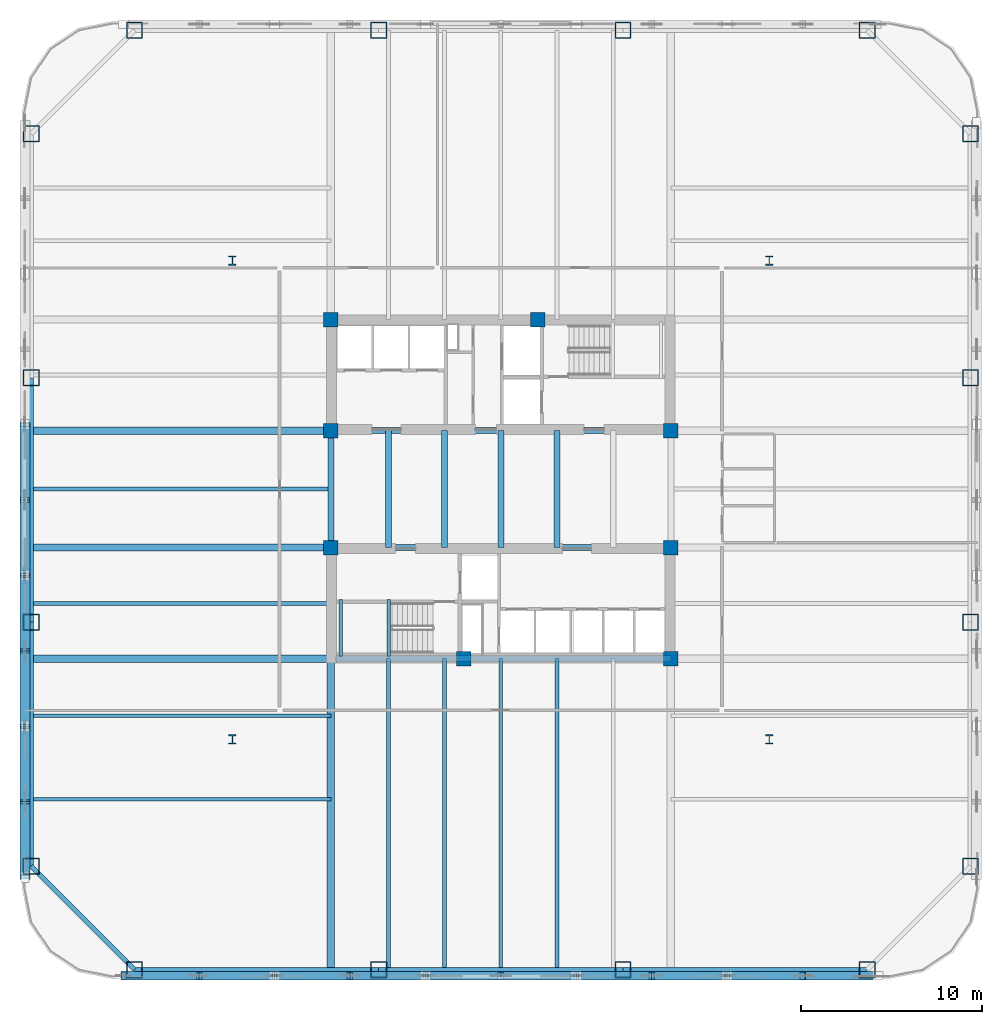
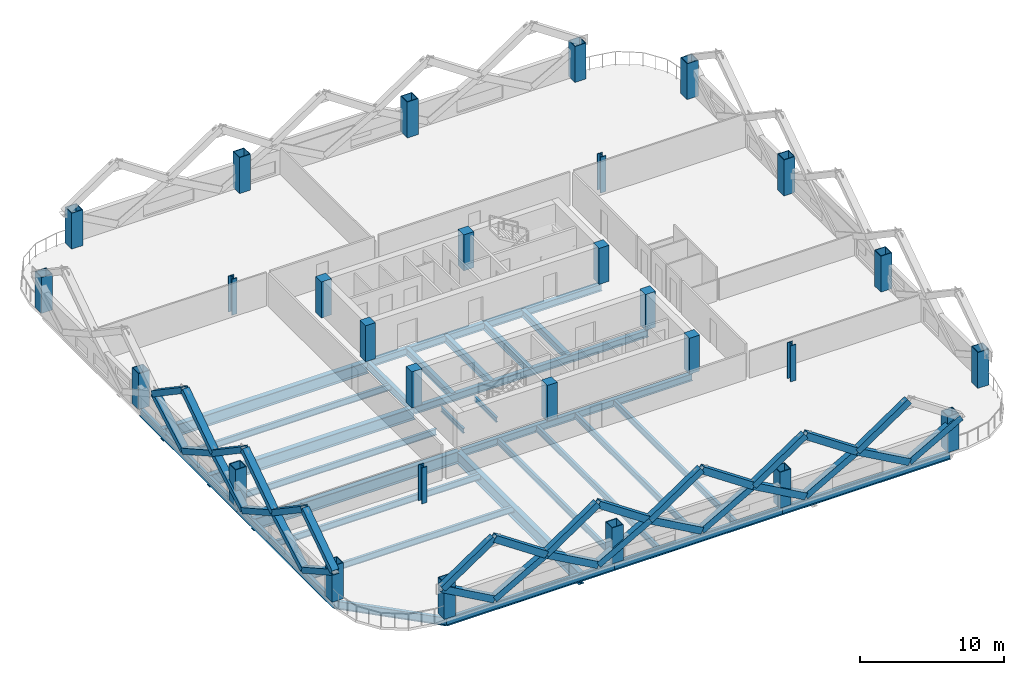
# One storey, part 1 of 13: 31 members, 28 beams, 28 columns.
"""IFC4 building model written with IfcOpenShell, lengths in metres."""

from ifc_helpers import new_model, si_unit, direction, frame, origin, origin_2d, place, context, subcontext, project, spatial, rectangle, hollow_rectangle, i_section, extrude, material, material_profile, profile_set, type_object, element, save


model = new_model("IFC4")

# Units and contexts
model_context = context("Model", 3, precision=1e-05, world=origin(), true_north=direction((0.0, 1.0)))
body_context = subcontext(model_context, "Body", "Model", "MODEL_VIEW")
ifc_project = project(units=[si_unit("LENGTHUNIT", "METRE"), si_unit("AREAUNIT", "SQUARE_METRE"), si_unit("VOLUMEUNIT", "CUBIC_METRE"), si_unit("PLANEANGLEUNIT", "RADIAN"), si_unit("MASSUNIT", "GRAM", prefix="KILO")], contexts=[model_context])

# Site, building, storey
site_placement = place(None, origin())
site = spatial("IfcSite", under=ifc_project, at=site_placement, CompositionType="ELEMENT")
building_placement = place(site_placement, origin())
building = spatial("IfcBuilding", under=site, at=building_placement, Name="Qhalaya Broadcast Tower", CompositionType="ELEMENT")
storey_placement = place(building_placement, frame((0.0, 0.0, 32.199951171875)))
storey = spatial("IfcBuildingStorey", under=building, at=storey_placement, Name="L08", CompositionType="ELEMENT", Elevation=32.199951171875)

# Columns
ifc_material_1 = material(Name="Concrete C50/60", Category="concrete")
ifc_material_profile_1 = material_profile(ifc_material_1, rectangle(XDim=0.800048828125, YDim=0.800048828125, at=origin_2d()), Name="RC-COL 800x800")
ifc_profile_set_1 = profile_set([ifc_material_profile_1], Name="Concrete C50/60")
column_type_1 = type_object("IfcColumnType", Name="RC Upper Column C10", PredefinedType="COLUMN", material=ifc_profile_set_1)
for number, where, z_axis, x_axis, name in (
    (1, (-9.375, 9.949951171875, 0.0), (0.0, 0.0, 1.0), (1.0, 0.0, 0.0), "L08 Column COL-CC1"),
    (2, (2.050048828125, 9.949951171875, 0.0), (0.0, 0.0, 1.0), (1.0, 0.0, 0.0), "L08 Column COL-CC2"),
    (3, (-9.375, 3.824951171875, 0.0), (0.0, 0.0, 1.0), (1.0, 0.0, 0.0), "L08 Column COL-CC3"),
    (4, (9.375, 3.824951171875, 0.0), (0.0, 0.0, 1.0), (1.0, 0.0, 0.0), "L08 Column COL-CC4"),
    (5, (-9.375, -2.625, 0.0), (0.0, 0.0, 1.0), (1.0, 0.0, 0.0), "L08 Column COL-CC5"),
    (6, (9.375, -2.625, 0.0), (0.0, 0.0, 1.0), (1.0, 0.0, 0.0), "L08 Column COL-CC6"),
    (7, (-2.050048828125, -8.75, 0.0), (0.0, 0.0, 1.0), (1.0, 0.0, 0.0), "L08 Column COL-CC7"),
    (8, (9.375, -8.75, 0.0), (0.0, 0.0, 1.0), (1.0, 0.0, 0.0), "L08 Column COL-CC8"),
):
    element("IfcColumn", number, at=place(storey_placement, frame(where, z_axis=z_axis, x_axis=x_axis)), inside=storey, type_object=column_type_1, Name=name, PredefinedType="COLUMN", context=body_context, shape_type="SweptSolid", body=[
        extrude(rectangle(XDim=0.800048828125, YDim=0.800048828125, at=origin_2d()), origin(), (0.0, 0.0, 1.0), 3.050048828125),
    ])
ifc_material_2 = material(Name="Structural Steel ASTM A992 Grade 50", Category="steel")
ifc_material_profile_2 = material_profile(ifc_material_2, i_section(OverallWidth=0.41796875, OverallDepth=0.510009765625, WebThickness=0.0419921875, FlangeThickness=0.067626953125, at=origin_2d()), Name="W14X370")
ifc_profile_set_2 = profile_set([ifc_material_profile_2], Name="Structural Steel ASTM A992 Grade 50")
column_type_2 = type_object("IfcColumnType", Name="Rolled Gravity Column C06", PredefinedType="COLUMN", material=ifc_profile_set_2)
for number, where, z_axis, x_axis, name in (
    (9, (-14.800048828125, -13.199951171875, 0.0), (0.0, 0.0, 1.0), (1.0, 0.0, 0.0), "L08 Column COL-GR1"),
    (10, (14.800048828125, -13.199951171875, 0.0), (0.0, 0.0, 1.0), (1.0, 0.0, 0.0), "L08 Column COL-GR2"),
    (11, (-14.800048828125, 13.199951171875, 0.0), (0.0, 0.0, 1.0), (1.0, 0.0, 0.0), "L08 Column COL-GR3"),
    (12, (14.800048828125, 13.199951171875, 0.0), (0.0, 0.0, 1.0), (1.0, 0.0, 0.0), "L08 Column COL-GR4"),
):
    element("IfcColumn", number, at=place(storey_placement, frame(where, z_axis=z_axis, x_axis=x_axis)), inside=storey, type_object=column_type_2, Name=name, PredefinedType="COLUMN", context=body_context, shape_type="SweptSolid", body=[
        extrude(i_section(OverallWidth=0.41796875, OverallDepth=0.510009765625, WebThickness=0.0419921875, FlangeThickness=0.067626953125, at=origin_2d()), origin(), (0.0, 0.0, 1.0), 3.050048828125),
    ])
ifc_material_3 = material(Name="Structural Steel ASTM A572 Grade 50", Category="steel")
ifc_material_profile_3 = material_profile(ifc_material_3, hollow_rectangle(XDim=0.89990234375, YDim=0.89990234375, WallThickness=0.054931640625, at=origin_2d()), Name="BOX 900x900x55")
ifc_profile_set_3 = profile_set([ifc_material_profile_3], Name="Structural Steel ASTM A572 Grade 50")
column_type_3 = type_object("IfcColumnType", Name="Steel Box Column C02", PredefinedType="COLUMN", material=ifc_profile_set_3)
for number, where, z_axis, x_axis, name in (
    (13, (-20.199951171875, -25.89990234375, 0.0), (0.0, 0.0, 1.0), (1.0, 0.0, 0.0), "L08 Column COL-EX01"),
    (14, (-6.7333984375, -25.89990234375, 0.0), (0.0, 0.0, 1.0), (1.0, 0.0, 0.0), "L08 Column COL-EX02"),
    (15, (6.7333984375, -25.89990234375, 0.0), (0.0, 0.0, 1.0), (1.0, 0.0, 0.0), "L08 Column COL-EX03"),
    (16, (20.199951171875, -25.89990234375, 0.0), (0.0, 0.0, 1.0), (1.0, 0.0, 0.0), "L08 Column COL-EX04"),
    (17, (25.89990234375, -20.199951171875, 0.0), (0.0, 0.0, 1.0), (0.0, 1.0, 0.0), "L08 Column COL-EX05"),
    (18, (25.89990234375, -6.7333984375, 0.0), (0.0, 0.0, 1.0), (0.0, 1.0, 0.0), "L08 Column COL-EX06"),
    (19, (25.89990234375, 6.7333984375, 0.0), (0.0, 0.0, 1.0), (0.0, 1.0, 0.0), "L08 Column COL-EX07"),
    (20, (25.89990234375, 20.199951171875, 0.0), (0.0, 0.0, 1.0), (0.0, 1.0, 0.0), "L08 Column COL-EX08"),
    (21, (20.199951171875, 25.89990234375, 0.0), (0.0, 0.0, 1.0), (1.0, 0.0, 0.0), "L08 Column COL-EX09"),
    (22, (6.7333984375, 25.89990234375, 0.0), (0.0, 0.0, 1.0), (1.0, 0.0, 0.0), "L08 Column COL-EX10"),
    (23, (-6.7333984375, 25.89990234375, 0.0), (0.0, 0.0, 1.0), (1.0, 0.0, 0.0), "L08 Column COL-EX11"),
    (24, (-20.199951171875, 25.89990234375, 0.0), (0.0, 0.0, 1.0), (1.0, 0.0, 0.0), "L08 Column COL-EX12"),
    (25, (-25.89990234375, 20.199951171875, 0.0), (0.0, 0.0, 1.0), (0.0, 1.0, 0.0), "L08 Column COL-EX13"),
    (26, (-25.89990234375, 6.7333984375, 0.0), (0.0, 0.0, 1.0), (0.0, 1.0, 0.0), "L08 Column COL-EX14"),
    (27, (-25.89990234375, -6.7333984375, 0.0), (0.0, 0.0, 1.0), (0.0, 1.0, 0.0), "L08 Column COL-EX15"),
    (28, (-25.89990234375, -20.199951171875, 0.0), (0.0, 0.0, 1.0), (0.0, 1.0, 0.0), "L08 Column COL-EX16"),
):
    element("IfcColumn", number, at=place(storey_placement, frame(where, z_axis=z_axis, x_axis=x_axis)), inside=storey, type_object=column_type_3, Name=name, PredefinedType="COLUMN", context=body_context, shape_type="SweptSolid", body=[
        extrude(hollow_rectangle(XDim=0.89990234375, YDim=0.89990234375, WallThickness=0.054931640625, at=origin_2d()), origin(), (0.0, 0.0, 1.0), 3.050048828125),
    ])

# Beams
ifc_material_profile_4 = material_profile(ifc_material_2, i_section(OverallWidth=0.2099609375, OverallDepth=0.535888671875, WebThickness=0.010986328125, FlangeThickness=0.017333984375, at=origin_2d()), Name="W21X68")
ifc_profile_set_4 = profile_set([ifc_material_profile_4], Name="Structural Steel ASTM A992 Grade 50")
beam_type_1 = type_object("IfcBeamType", Name="Composite Floor Joist J02", PredefinedType="JOIST", material=ifc_profile_set_4)
for number, where, z_axis, x_axis, name in (
    (29, (-6.199951171875, -25.8798828125, -0.488037109375), (0.0, 1.0, 0.0), (-1.0, 0.0, 0.0), "L08 J02 L08-JNS1-1"),
    (30, (-3.10009765625, -25.8798828125, -0.488037109375), (0.0, 1.0, 0.0), (-1.0, 0.0, 0.0), "L08 J02 L08-JNS2-1"),
    (31, (0.0, -25.8798828125, -0.488037109375), (0.0, 1.0, 0.0), (-1.0, 0.0, 0.0), "L08 J02 L08-JNS3-1"),
    (32, (3.10009765625, -25.8798828125, -0.488037109375), (0.0, 1.0, 0.0), (-1.0, 0.0, 0.0), "L08 J02 L08-JNS4-1"),
):
    element("IfcBeam", number, at=place(storey_placement, frame(where, z_axis=z_axis, x_axis=x_axis)), inside=storey, type_object=beam_type_1, Name=name, PredefinedType="JOIST", context=body_context, shape_type="SweptSolid", body=[
        extrude(i_section(OverallWidth=0.2099609375, OverallDepth=0.535888671875, WebThickness=0.010986328125, FlangeThickness=0.017333984375, at=origin_2d()), origin(), (0.0, 0.0, 1.0), 17.1298828125),
    ])
for number, where, z_axis, x_axis, name in (
    (33, (-25.8798828125, -16.5, -0.488037109375), (1.0, 0.0, 0.0), (0.0, 1.0, 0.0), "L08 J02 L08-JWE1W-1"),
    (34, (-25.8798828125, -11.89990234375, -0.488037109375), (1.0, 0.0, 0.0), (0.0, 1.0, 0.0), "L08 J02 L08-JWE2W-1"),
    (35, (-25.8798828125, -5.699951171875, -0.488037109375), (1.0, 0.0, 0.0), (0.0, 1.0, 0.0), "L08 J02 L08-JWE3W-1"),
    (36, (-25.8798828125, 0.60009765625, -0.488037109375), (1.0, 0.0, 0.0), (0.0, 1.0, 0.0), "L08 J02 L08-JWE4W-1"),
):
    element("IfcBeam", number, at=place(storey_placement, frame(where, z_axis=z_axis, x_axis=x_axis)), inside=storey, type_object=beam_type_1, Name=name, PredefinedType="JOIST", context=body_context, shape_type="SweptSolid", body=[
        extrude(i_section(OverallWidth=0.2099609375, OverallDepth=0.535888671875, WebThickness=0.010986328125, FlangeThickness=0.017333984375, at=origin_2d()), origin(), (0.0, 0.0, 1.0), 16.5048828125),
    ])
ifc_material_profile_5 = material_profile(ifc_material_2, i_section(OverallWidth=0.323974609375, OverallDepth=0.612060546875, WebThickness=0.0126953125, FlangeThickness=0.01904296875, at=origin_2d()), Name="W24X104")
ifc_profile_set_5 = profile_set([ifc_material_profile_5], Name="Structural Steel ASTM A992 Grade 50")
beam_type_2 = type_object("IfcBeamType", Name="Core Frame Tie Beam B04", PredefinedType="BEAM", material=ifc_profile_set_5)
for number, where, z_axis, x_axis, name in (
    (37, (-9.375, 3.824951171875, -0.52587890625), (1.0, 0.0, 0.0), (0.0, 1.0, 0.0), "L08 B04 L08-CCN1"),
    (38, (-9.375, -2.625, -0.52587890625), (1.0, 0.0, 0.0), (0.0, 1.0, 0.0), "L08 B04 L08-CCS1"),
):
    element("IfcBeam", number, at=place(storey_placement, frame(where, z_axis=z_axis, x_axis=x_axis)), inside=storey, type_object=beam_type_2, Name=name, PredefinedType="BEAM", context=body_context, shape_type="SweptSolid", body=[
        extrude(i_section(OverallWidth=0.323974609375, OverallDepth=0.612060546875, WebThickness=0.0126953125, FlangeThickness=0.01904296875, at=origin_2d()), origin(), (0.0, 0.0, 1.0), 18.75),
    ])
beam_1_placement = place(storey_placement, frame((-9.1201171875, -8.75, -0.52587890625), z_axis=(1.0, 0.0, 0.0), x_axis=(0.0, 1.0, 0.0)))
element("IfcBeam", 39, at=beam_1_placement, inside=storey, type_object=beam_type_2, Name="L08 B04 L08-CCS3", PredefinedType="BEAM", context=body_context, shape_type="SweptSolid", body=[
    extrude(i_section(OverallWidth=0.323974609375, OverallDepth=0.612060546875, WebThickness=0.0126953125, FlangeThickness=0.01904296875, at=origin_2d()), origin(), (0.0, 0.0, 1.0), 18.4951171875),
])
for number, where, z_axis, x_axis, name in (
    (40, (-9.375, -2.625, -0.52587890625), (0.0, 1.0, 0.0), (-1.0, 0.0, 0.0), "L08 B04 L08-CCW"),
    (41, (-6.199951171875, -2.625, -0.52587890625), (0.0, 1.0, 0.0), (-1.0, 0.0, 0.0), "L08 B04 L08-JC1-1"),
    (42, (-3.10009765625, -2.625, -0.52587890625), (0.0, 1.0, 0.0), (-1.0, 0.0, 0.0), "L08 B04 L08-JC2-1"),
    (43, (0.0, -2.625, -0.52587890625), (0.0, 1.0, 0.0), (-1.0, 0.0, 0.0), "L08 B04 L08-JC3-1"),
    (44, (3.10009765625, -2.625, -0.52587890625), (0.0, 1.0, 0.0), (-1.0, 0.0, 0.0), "L08 B04 L08-JC4-1"),
):
    element("IfcBeam", number, at=place(storey_placement, frame(where, z_axis=z_axis, x_axis=x_axis)), inside=storey, type_object=beam_type_2, Name=name, PredefinedType="BEAM", context=body_context, shape_type="SweptSolid", body=[
        extrude(i_section(OverallWidth=0.323974609375, OverallDepth=0.612060546875, WebThickness=0.0126953125, FlangeThickness=0.01904296875, at=origin_2d()), origin(), (0.0, 0.0, 1.0), 6.449951171875),
    ])

# Members
ifc_material_profile_6 = material_profile(ifc_material_3, hollow_rectangle(XDim=0.449951171875, YDim=0.550048828125, WallThickness=0.031982421875, at=origin_2d()), Name="BOX 450x550x32")
ifc_profile_set_6 = profile_set([ifc_material_profile_6], Name="Structural Steel ASTM A572 Grade 50")
member_type = type_object("IfcMemberType", Name="Exoskeleton Diamond Diagonal Lower EX1", PredefinedType="BRACE", material=ifc_profile_set_6)
member_1_placement = place(storey_placement, frame((-16.639892578125, -26.239990234375, 0.360107421875), z_axis=(-0.872492918738, 0.0, 0.488626756075), x_axis=(0.0, -1.0, 0.0)))
element("IfcMember", 45, at=member_1_placement, inside=storey, type_object=member_type, Name="B1 Exoskeleton Diamond Brace S1-D1", PredefinedType="BRACE", context=body_context, shape_type="SweptSolid", body=[
    extrude(hollow_rectangle(XDim=0.449951171875, YDim=0.550048828125, WallThickness=0.031982421875, at=origin_2d()), origin(), (0.0, 0.0, 1.0), 4.76806640625),
])
member_2_placement = place(storey_placement, frame((-16.639892578125, -26.239990234375, 0.360107421875), z_axis=(0.872480692977, 0.0, 0.488648585778), x_axis=(0.0, 1.0, 0.0)))
element("IfcMember", 46, at=member_2_placement, inside=storey, type_object=member_type, Name="B1 Exoskeleton Diamond Brace S1-D2", PredefinedType="BRACE", context=body_context, shape_type="SweptSolid", body=[
    extrude(hollow_rectangle(XDim=0.449951171875, YDim=0.550048828125, WallThickness=0.031982421875, at=origin_2d()), origin(), (0.0, 0.0, 1.0), 4.767822265625),
])
member_3_placement = place(storey_placement, frame((-20.800048828125, -26.239990234375, 2.68994140625), z_axis=(0.828668223168, 0.0, 0.559740096752), x_axis=(0.0, 1.0, 0.0)))
element("IfcMember", 47, at=member_3_placement, inside=storey, type_object=member_type, Name="B1 Exoskeleton Diamond Brace S1-D3", PredefinedType="BRACE", context=body_context, shape_type="SweptSolid", body=[
    extrude(hollow_rectangle(XDim=0.449951171875, YDim=0.550048828125, WallThickness=0.031982421875, at=origin_2d()), origin(), (0.0, 0.0, 1.0), 5.020263671875),
])
member_4_placement = place(storey_placement, frame((-12.47998046875, -26.239990234375, 2.68994140625), z_axis=(-0.828652985792, 0.0, 0.559762654291), x_axis=(0.0, -1.0, 0.0)))
element("IfcMember", 48, at=member_4_placement, inside=storey, type_object=member_type, Name="B1 Exoskeleton Diamond Brace S1-D4", PredefinedType="BRACE", context=body_context, shape_type="SweptSolid", body=[
    extrude(hollow_rectangle(XDim=0.449951171875, YDim=0.550048828125, WallThickness=0.031982421875, at=origin_2d()), origin(), (0.0, 0.0, 1.0), 5.02001953125),
])
member_5_placement = place(storey_placement, frame((-8.320068359375, -26.239990234375, 0.360107421875), z_axis=(-0.872480692977, 0.0, 0.488648585778), x_axis=(0.0, -1.0, 0.0)))
element("IfcMember", 49, at=member_5_placement, inside=storey, type_object=member_type, Name="B1 Exoskeleton Diamond Brace S2-D1", PredefinedType="BRACE", context=body_context, shape_type="SweptSolid", body=[
    extrude(hollow_rectangle(XDim=0.449951171875, YDim=0.550048828125, WallThickness=0.031982421875, at=origin_2d()), origin(), (0.0, 0.0, 1.0), 4.767822265625),
])
member_6_placement = place(storey_placement, frame((-8.320068359375, -26.239990234375, 0.360107421875), z_axis=(0.872492918738, 0.0, 0.488626756075), x_axis=(0.0, 1.0, 0.0)))
element("IfcMember", 50, at=member_6_placement, inside=storey, type_object=member_type, Name="B1 Exoskeleton Diamond Brace S2-D2", PredefinedType="BRACE", context=body_context, shape_type="SweptSolid", body=[
    extrude(hollow_rectangle(XDim=0.449951171875, YDim=0.550048828125, WallThickness=0.031982421875, at=origin_2d()), origin(), (0.0, 0.0, 1.0), 4.76806640625),
])
member_7_placement = place(storey_placement, frame((-12.47998046875, -26.239990234375, 2.68994140625), z_axis=(0.828652985792, 0.0, 0.559762654291), x_axis=(0.0, 1.0, 0.0)))
element("IfcMember", 51, at=member_7_placement, inside=storey, type_object=member_type, Name="B1 Exoskeleton Diamond Brace S2-D3", PredefinedType="BRACE", context=body_context, shape_type="SweptSolid", body=[
    extrude(hollow_rectangle(XDim=0.449951171875, YDim=0.550048828125, WallThickness=0.031982421875, at=origin_2d()), origin(), (0.0, 0.0, 1.0), 5.02001953125),
])
member_8_placement = place(storey_placement, frame((-4.159912109375, -26.239990234375, 2.68994140625), z_axis=(-0.828668223168, 0.0, 0.559740096752), x_axis=(0.0, -1.0, 0.0)))
element("IfcMember", 52, at=member_8_placement, inside=storey, type_object=member_type, Name="B1 Exoskeleton Diamond Brace S2-D4", PredefinedType="BRACE", context=body_context, shape_type="SweptSolid", body=[
    extrude(hollow_rectangle(XDim=0.449951171875, YDim=0.550048828125, WallThickness=0.031982421875, at=origin_2d()), origin(), (0.0, 0.0, 1.0), 5.020263671875),
])
for number, where, z_axis, x_axis, name in (
    (53, (0.0, -26.239990234375, 0.360107421875), (-0.872480692977, 0.0, 0.488648585778), (0.0, -1.0, 0.0), "B1 Exoskeleton Diamond Brace S3-D1"),
    (54, (0.0, -26.239990234375, 0.360107421875), (0.872480692977, 0.0, 0.488648585778), (0.0, 1.0, 0.0), "B1 Exoskeleton Diamond Brace S3-D2"),
):
    element("IfcMember", number, at=place(storey_placement, frame(where, z_axis=z_axis, x_axis=x_axis)), inside=storey, type_object=member_type, Name=name, PredefinedType="BRACE", context=body_context, shape_type="SweptSolid", body=[
        extrude(hollow_rectangle(XDim=0.449951171875, YDim=0.550048828125, WallThickness=0.031982421875, at=origin_2d()), origin(), (0.0, 0.0, 1.0), 4.767822265625),
    ])
for number, where, z_axis, x_axis, name in (
    (55, (-4.159912109375, -26.239990234375, 2.68994140625), (0.828652985792, 0.0, 0.559762654291), (0.0, 1.0, 0.0), "B1 Exoskeleton Diamond Brace S3-D3"),
    (56, (4.159912109375, -26.239990234375, 2.68994140625), (-0.828652985792, 0.0, 0.559762654291), (0.0, -1.0, 0.0), "B1 Exoskeleton Diamond Brace S3-D4"),
):
    element("IfcMember", number, at=place(storey_placement, frame(where, z_axis=z_axis, x_axis=x_axis)), inside=storey, type_object=member_type, Name=name, PredefinedType="BRACE", context=body_context, shape_type="SweptSolid", body=[
        extrude(hollow_rectangle(XDim=0.449951171875, YDim=0.550048828125, WallThickness=0.031982421875, at=origin_2d()), origin(), (0.0, 0.0, 1.0), 5.02001953125),
    ])
member_9_placement = place(storey_placement, frame((8.320068359375, -26.239990234375, 0.360107421875), z_axis=(-0.872492918738, 0.0, 0.488626756075), x_axis=(0.0, -1.0, 0.0)))
element("IfcMember", 57, at=member_9_placement, inside=storey, type_object=member_type, Name="B1 Exoskeleton Diamond Brace S4-D1", PredefinedType="BRACE", context=body_context, shape_type="SweptSolid", body=[
    extrude(hollow_rectangle(XDim=0.449951171875, YDim=0.550048828125, WallThickness=0.031982421875, at=origin_2d()), origin(), (0.0, 0.0, 1.0), 4.76806640625),
])
member_10_placement = place(storey_placement, frame((8.320068359375, -26.239990234375, 0.360107421875), z_axis=(0.872480692977, 0.0, 0.488648585778), x_axis=(0.0, 1.0, 0.0)))
element("IfcMember", 58, at=member_10_placement, inside=storey, type_object=member_type, Name="B1 Exoskeleton Diamond Brace S4-D2", PredefinedType="BRACE", context=body_context, shape_type="SweptSolid", body=[
    extrude(hollow_rectangle(XDim=0.449951171875, YDim=0.550048828125, WallThickness=0.031982421875, at=origin_2d()), origin(), (0.0, 0.0, 1.0), 4.767822265625),
])
member_11_placement = place(storey_placement, frame((4.159912109375, -26.239990234375, 2.68994140625), z_axis=(0.828668223168, 0.0, 0.559740096752), x_axis=(0.0, 1.0, 0.0)))
element("IfcMember", 59, at=member_11_placement, inside=storey, type_object=member_type, Name="B1 Exoskeleton Diamond Brace S4-D3", PredefinedType="BRACE", context=body_context, shape_type="SweptSolid", body=[
    extrude(hollow_rectangle(XDim=0.449951171875, YDim=0.550048828125, WallThickness=0.031982421875, at=origin_2d()), origin(), (0.0, 0.0, 1.0), 5.020263671875),
])
member_12_placement = place(storey_placement, frame((12.47998046875, -26.239990234375, 2.68994140625), z_axis=(-0.828652985792, 0.0, 0.559762654291), x_axis=(0.0, -1.0, 0.0)))
element("IfcMember", 60, at=member_12_placement, inside=storey, type_object=member_type, Name="B1 Exoskeleton Diamond Brace S4-D4", PredefinedType="BRACE", context=body_context, shape_type="SweptSolid", body=[
    extrude(hollow_rectangle(XDim=0.449951171875, YDim=0.550048828125, WallThickness=0.031982421875, at=origin_2d()), origin(), (0.0, 0.0, 1.0), 5.02001953125),
])
member_13_placement = place(storey_placement, frame((16.639892578125, -26.239990234375, 0.360107421875), z_axis=(-0.872480692977, 0.0, 0.488648585778), x_axis=(0.0, -1.0, 0.0)))
element("IfcMember", 61, at=member_13_placement, inside=storey, type_object=member_type, Name="B1 Exoskeleton Diamond Brace S5-D1", PredefinedType="BRACE", context=body_context, shape_type="SweptSolid", body=[
    extrude(hollow_rectangle(XDim=0.449951171875, YDim=0.550048828125, WallThickness=0.031982421875, at=origin_2d()), origin(), (0.0, 0.0, 1.0), 4.767822265625),
])
member_14_placement = place(storey_placement, frame((16.639892578125, -26.239990234375, 0.360107421875), z_axis=(0.872492918738, 0.0, 0.488626756075), x_axis=(0.0, 1.0, 0.0)))
element("IfcMember", 62, at=member_14_placement, inside=storey, type_object=member_type, Name="B1 Exoskeleton Diamond Brace S5-D2", PredefinedType="BRACE", context=body_context, shape_type="SweptSolid", body=[
    extrude(hollow_rectangle(XDim=0.449951171875, YDim=0.550048828125, WallThickness=0.031982421875, at=origin_2d()), origin(), (0.0, 0.0, 1.0), 4.76806640625),
])
member_15_placement = place(storey_placement, frame((12.47998046875, -26.239990234375, 2.68994140625), z_axis=(0.828652985792, 0.0, 0.559762654291), x_axis=(0.0, 1.0, 0.0)))
element("IfcMember", 63, at=member_15_placement, inside=storey, type_object=member_type, Name="B1 Exoskeleton Diamond Brace S5-D3", PredefinedType="BRACE", context=body_context, shape_type="SweptSolid", body=[
    extrude(hollow_rectangle(XDim=0.449951171875, YDim=0.550048828125, WallThickness=0.031982421875, at=origin_2d()), origin(), (0.0, 0.0, 1.0), 5.02001953125),
])
for number, where, z_axis, x_axis, name in (
    (64, (-26.239990234375, 0.0, 0.360107421875), (0.0, 0.872480692977, 0.488648585778), (0.0, -0.488648585778, 0.872480692977), "B1 Exoskeleton Diamond Brace W3-D1"),
    (65, (-26.239990234375, 0.0, 0.360107421875), (0.0, -0.872480692977, 0.488648585778), (0.0, 0.488648585778, 0.872480692977), "B1 Exoskeleton Diamond Brace W3-D2"),
):
    element("IfcMember", number, at=place(storey_placement, frame(where, z_axis=z_axis, x_axis=x_axis)), inside=storey, type_object=member_type, Name=name, PredefinedType="BRACE", context=body_context, shape_type="SweptSolid", body=[
        extrude(hollow_rectangle(XDim=0.449951171875, YDim=0.550048828125, WallThickness=0.031982421875, at=origin_2d()), origin(), (0.0, 0.0, 1.0), 4.767822265625),
    ])
for number, where, z_axis, x_axis, name in (
    (66, (-26.239990234375, 4.159912109375, 2.68994140625), (0.0, -0.828652985792, 0.559762654291), (0.0, 0.559762654291, 0.828652985792), "B1 Exoskeleton Diamond Brace W3-D3"),
    (67, (-26.239990234375, -4.159912109375, 2.68994140625), (0.0, 0.828652985792, 0.559762654291), (0.0, -0.559762654291, 0.828652985792), "B1 Exoskeleton Diamond Brace W3-D4"),
):
    element("IfcMember", number, at=place(storey_placement, frame(where, z_axis=z_axis, x_axis=x_axis)), inside=storey, type_object=member_type, Name=name, PredefinedType="BRACE", context=body_context, shape_type="SweptSolid", body=[
        extrude(hollow_rectangle(XDim=0.449951171875, YDim=0.550048828125, WallThickness=0.031982421875, at=origin_2d()), origin(), (0.0, 0.0, 1.0), 5.02001953125),
    ])
member_16_placement = place(storey_placement, frame((-26.239990234375, -8.320068359375, 0.360107421875), z_axis=(0.0, 0.872492918738, 0.488626756075), x_axis=(0.0, -0.488626756075, 0.872492918738)))
element("IfcMember", 68, at=member_16_placement, inside=storey, type_object=member_type, Name="B1 Exoskeleton Diamond Brace W4-D1", PredefinedType="BRACE", context=body_context, shape_type="SweptSolid", body=[
    extrude(hollow_rectangle(XDim=0.449951171875, YDim=0.550048828125, WallThickness=0.031982421875, at=origin_2d()), origin(), (0.0, 0.0, 1.0), 4.76806640625),
])
member_17_placement = place(storey_placement, frame((-26.239990234375, -8.320068359375, 0.360107421875), z_axis=(0.0, -0.872480692977, 0.488648585778), x_axis=(0.0, 0.488648585778, 0.872480692977)))
element("IfcMember", 69, at=member_17_placement, inside=storey, type_object=member_type, Name="B1 Exoskeleton Diamond Brace W4-D2", PredefinedType="BRACE", context=body_context, shape_type="SweptSolid", body=[
    extrude(hollow_rectangle(XDim=0.449951171875, YDim=0.550048828125, WallThickness=0.031982421875, at=origin_2d()), origin(), (0.0, 0.0, 1.0), 4.767822265625),
])
member_18_placement = place(storey_placement, frame((-26.239990234375, -4.159912109375, 2.68994140625), z_axis=(0.0, -0.828668223168, 0.559740096752), x_axis=(0.0, 0.559740096752, 0.828668223168)))
element("IfcMember", 70, at=member_18_placement, inside=storey, type_object=member_type, Name="B1 Exoskeleton Diamond Brace W4-D3", PredefinedType="BRACE", context=body_context, shape_type="SweptSolid", body=[
    extrude(hollow_rectangle(XDim=0.449951171875, YDim=0.550048828125, WallThickness=0.031982421875, at=origin_2d()), origin(), (0.0, 0.0, 1.0), 5.020263671875),
])
member_19_placement = place(storey_placement, frame((-26.239990234375, -12.47998046875, 2.68994140625), z_axis=(0.0, 0.828652985792, 0.559762654291), x_axis=(0.0, -0.559762654291, 0.828652985792)))
element("IfcMember", 71, at=member_19_placement, inside=storey, type_object=member_type, Name="B1 Exoskeleton Diamond Brace W4-D4", PredefinedType="BRACE", context=body_context, shape_type="SweptSolid", body=[
    extrude(hollow_rectangle(XDim=0.449951171875, YDim=0.550048828125, WallThickness=0.031982421875, at=origin_2d()), origin(), (0.0, 0.0, 1.0), 5.02001953125),
])
member_20_placement = place(storey_placement, frame((-26.239990234375, -16.639892578125, 0.360107421875), z_axis=(0.0, 0.872480692977, 0.488648585778), x_axis=(0.0, -0.488648585778, 0.872480692977)))
element("IfcMember", 72, at=member_20_placement, inside=storey, type_object=member_type, Name="B1 Exoskeleton Diamond Brace W5-D1", PredefinedType="BRACE", context=body_context, shape_type="SweptSolid", body=[
    extrude(hollow_rectangle(XDim=0.449951171875, YDim=0.550048828125, WallThickness=0.031982421875, at=origin_2d()), origin(), (0.0, 0.0, 1.0), 4.767822265625),
])
member_21_placement = place(storey_placement, frame((-26.239990234375, -16.639892578125, 0.360107421875), z_axis=(0.0, -0.872492918738, 0.488626756075), x_axis=(0.0, 0.488626756075, 0.872492918738)))
element("IfcMember", 73, at=member_21_placement, inside=storey, type_object=member_type, Name="B1 Exoskeleton Diamond Brace W5-D2", PredefinedType="BRACE", context=body_context, shape_type="SweptSolid", body=[
    extrude(hollow_rectangle(XDim=0.449951171875, YDim=0.550048828125, WallThickness=0.031982421875, at=origin_2d()), origin(), (0.0, 0.0, 1.0), 4.76806640625),
])
member_22_placement = place(storey_placement, frame((-26.239990234375, -12.47998046875, 2.68994140625), z_axis=(0.0, -0.828652985792, 0.559762654291), x_axis=(0.0, 0.559762654291, 0.828652985792)))
element("IfcMember", 74, at=member_22_placement, inside=storey, type_object=member_type, Name="B1 Exoskeleton Diamond Brace W5-D3", PredefinedType="BRACE", context=body_context, shape_type="SweptSolid", body=[
    extrude(hollow_rectangle(XDim=0.449951171875, YDim=0.550048828125, WallThickness=0.031982421875, at=origin_2d()), origin(), (0.0, 0.0, 1.0), 5.02001953125),
])
member_23_placement = place(storey_placement, frame((-26.239990234375, -20.800048828125, 2.68994140625), z_axis=(0.0, 0.828668223168, 0.559740096752), x_axis=(0.0, -0.559740096752, 0.828668223168)))
element("IfcMember", 75, at=member_23_placement, inside=storey, type_object=member_type, Name="B1 Exoskeleton Diamond Brace W5-D4", PredefinedType="BRACE", context=body_context, shape_type="SweptSolid", body=[
    extrude(hollow_rectangle(XDim=0.449951171875, YDim=0.550048828125, WallThickness=0.031982421875, at=origin_2d()), origin(), (0.0, 0.0, 1.0), 5.020263671875),
])

# Beams
ifc_material_profile_7 = material_profile(ifc_material_2, i_section(OverallWidth=0.40087890625, OverallDepth=1.010986328125, WebThickness=0.023681640625, FlangeThickness=0.0419921875, at=origin_2d()), Name="W40X297")
ifc_profile_set_7 = profile_set([ifc_material_profile_7], Name="Structural Steel ASTM A992 Grade 50")
beam_type_3 = type_object("IfcBeamType", Name="Lower Block Primary Girder PG2", PredefinedType="USERDEFINED", material=ifc_profile_set_7)
beam_2_placement = place(storey_placement, frame((-9.375, -25.8798828125, -0.725341796875), z_axis=(0.0, 1.0, 0.0), x_axis=(-1.0, 0.0, 0.0)))
element("IfcBeam", 76, at=beam_2_placement, inside=storey, type_object=beam_type_3, Name="L08 PG2 L08-PGXS1-1", ObjectType="GIRDER", PredefinedType="USERDEFINED", context=body_context, shape_type="SweptSolid", body=[
    extrude(i_section(OverallWidth=0.40087890625, OverallDepth=1.010986328125, WebThickness=0.023681640625, FlangeThickness=0.0419921875, at=origin_2d()), origin(), (0.0, 0.0, 1.0), 17.1298828125),
])
for number, where, z_axis, x_axis, name in (
    (77, (-25.8798828125, -8.75, -0.725341796875), (1.0, 0.0, 0.0), (0.0, 1.0, 0.0), "L08 PG2 L08-PGYW1-1"),
    (78, (-25.8798828125, -2.625, -0.725341796875), (1.0, 0.0, 0.0), (0.0, 1.0, 0.0), "L08 PG2 L08-PGYW2-1"),
    (79, (-25.8798828125, 3.824951171875, -0.725341796875), (1.0, 0.0, 0.0), (0.0, 1.0, 0.0), "L08 PG2 L08-PGYW3-1"),
):
    element("IfcBeam", number, at=place(storey_placement, frame(where, z_axis=z_axis, x_axis=x_axis)), inside=storey, type_object=beam_type_3, Name=name, ObjectType="GIRDER", PredefinedType="USERDEFINED", context=body_context, shape_type="SweptSolid", body=[
        extrude(i_section(OverallWidth=0.40087890625, OverallDepth=1.010986328125, WebThickness=0.023681640625, FlangeThickness=0.0419921875, at=origin_2d()), origin(), (0.0, 0.0, 1.0), 16.5048828125),
    ])
ifc_material_profile_8 = material_profile(ifc_material_2, i_section(OverallWidth=0.25390625, OverallDepth=0.68310546875, WebThickness=0.012451171875, FlangeThickness=0.01904296875, at=origin_2d()), Name="W27X94")
ifc_profile_set_8 = profile_set([ifc_material_profile_8], Name="Structural Steel ASTM A992 Grade 50")
beam_type_4 = type_object("IfcBeamType", Name="Perimeter Ring Spandrel Beam SP1", PredefinedType="SPANDREL", material=ifc_profile_set_8)
beam_3_placement = place(storey_placement, frame((-20.199951171875, -25.89990234375, -0.5615234375), z_axis=(1.0, 0.0, 0.0), x_axis=(0.0, 1.0, 0.0)))
element("IfcBeam", 80, at=beam_3_placement, inside=storey, type_object=beam_type_4, Name="L08 SP1 L08-SPR-01", PredefinedType="SPANDREL", context=body_context, shape_type="SweptSolid", body=[
    extrude(i_section(OverallWidth=0.25390625, OverallDepth=0.68310546875, WebThickness=0.012451171875, FlangeThickness=0.01904296875, at=origin_2d()), origin(), (0.0, 0.0, 1.0), 13.466552734375),
])
beam_4_placement = place(storey_placement, frame((-6.7333984375, -25.89990234375, -0.5615234375), z_axis=(1.0, 0.0, 0.0), x_axis=(0.0, 1.0, 0.0)))
element("IfcBeam", 81, at=beam_4_placement, inside=storey, type_object=beam_type_4, Name="L08 SP1 L08-SPR-02", PredefinedType="SPANDREL", context=body_context, shape_type="SweptSolid", body=[
    extrude(i_section(OverallWidth=0.25390625, OverallDepth=0.68310546875, WebThickness=0.012451171875, FlangeThickness=0.01904296875, at=origin_2d()), origin(), (0.0, 0.0, 1.0), 13.466796875),
])
beam_5_placement = place(storey_placement, frame((6.7333984375, -25.89990234375, -0.5615234375), z_axis=(1.0, 0.0, 0.0), x_axis=(0.0, 1.0, 0.0)))
element("IfcBeam", 82, at=beam_5_placement, inside=storey, type_object=beam_type_4, Name="L08 SP1 L08-SPR-03", PredefinedType="SPANDREL", context=body_context, shape_type="SweptSolid", body=[
    extrude(i_section(OverallWidth=0.25390625, OverallDepth=0.68310546875, WebThickness=0.012451171875, FlangeThickness=0.01904296875, at=origin_2d()), origin(), (0.0, 0.0, 1.0), 13.466552734375),
])
beam_6_placement = place(storey_placement, frame((-25.89990234375, 6.7333984375, -0.5615234375), z_axis=(0.0, -1.0, 0.0), x_axis=(1.0, 0.0, 0.0)))
element("IfcBeam", 83, at=beam_6_placement, inside=storey, type_object=beam_type_4, Name="L08 SP1 L08-SPR-14", PredefinedType="SPANDREL", context=body_context, shape_type="SweptSolid", body=[
    extrude(i_section(OverallWidth=0.25390625, OverallDepth=0.68310546875, WebThickness=0.012451171875, FlangeThickness=0.01904296875, at=origin_2d()), origin(), (0.0, 0.0, 1.0), 13.466796875),
])
beam_7_placement = place(storey_placement, frame((-25.89990234375, -6.7333984375, -0.5615234375), z_axis=(0.0, -1.0, 0.0), x_axis=(1.0, 0.0, 0.0)))
element("IfcBeam", 84, at=beam_7_placement, inside=storey, type_object=beam_type_4, Name="L08 SP1 L08-SPR-15", PredefinedType="SPANDREL", context=body_context, shape_type="SweptSolid", body=[
    extrude(i_section(OverallWidth=0.25390625, OverallDepth=0.68310546875, WebThickness=0.012451171875, FlangeThickness=0.01904296875, at=origin_2d()), origin(), (0.0, 0.0, 1.0), 13.466552734375),
])
beam_8_placement = place(storey_placement, frame((-25.89990234375, -20.199951171875, -0.5615234375), z_axis=(0.707106781187, -0.707106781187, 0.0), x_axis=(0.707106781187, 0.707106781187, 0.0)))
element("IfcBeam", 85, at=beam_8_placement, inside=storey, type_object=beam_type_4, Name="L08 SP1 L08-SPR-16", PredefinedType="SPANDREL", context=body_context, shape_type="SweptSolid", body=[
    extrude(i_section(OverallWidth=0.25390625, OverallDepth=0.68310546875, WebThickness=0.012451171875, FlangeThickness=0.01904296875, at=origin_2d()), origin(), (0.0, 0.0, 1.0), 8.06103515625),
])
ifc_material_profile_9 = material_profile(ifc_material_2, i_section(OverallWidth=0.177978515625, OverallDepth=0.406005859375, WebThickness=0.0078125, FlangeThickness=0.0126953125, at=origin_2d()), Name="W16X40")
ifc_profile_set_9 = profile_set([ifc_material_profile_9], Name="Structural Steel ASTM A992 Grade 50")
beam_type_5 = type_object("IfcBeamType", Name="Upper Perimeter Spandrel Beam SP2", PredefinedType="SPANDREL", material=ifc_profile_set_9)
for number, where, z_axis, x_axis, name in (
    (86, (-8.830078125, -8.6201171875, 1.1220703125), (0.0, 1.0, 0.0), (-1.0, 0.0, 0.0), "L08 ST-2 Half-Landing Bearer Beam 1"),
    (87, (-6.175048828125, -8.6201171875, 1.1220703125), (0.0, 1.0, 0.0), (-1.0, 0.0, 0.0), "L08 ST-2 Half-Landing Bearer Beam 2"),
):
    element("IfcBeam", number, at=place(storey_placement, frame(where, z_axis=z_axis, x_axis=x_axis)), inside=storey, type_object=beam_type_5, Name=name, PredefinedType="SPANDREL", context=body_context, shape_type="SweptSolid", body=[
        extrude(i_section(OverallWidth=0.177978515625, OverallDepth=0.406005859375, WebThickness=0.0078125, FlangeThickness=0.0126953125, at=origin_2d()), origin(), (0.0, 0.0, 1.0), 3.1201171875),
    ])

save(model, "model.ifc")
